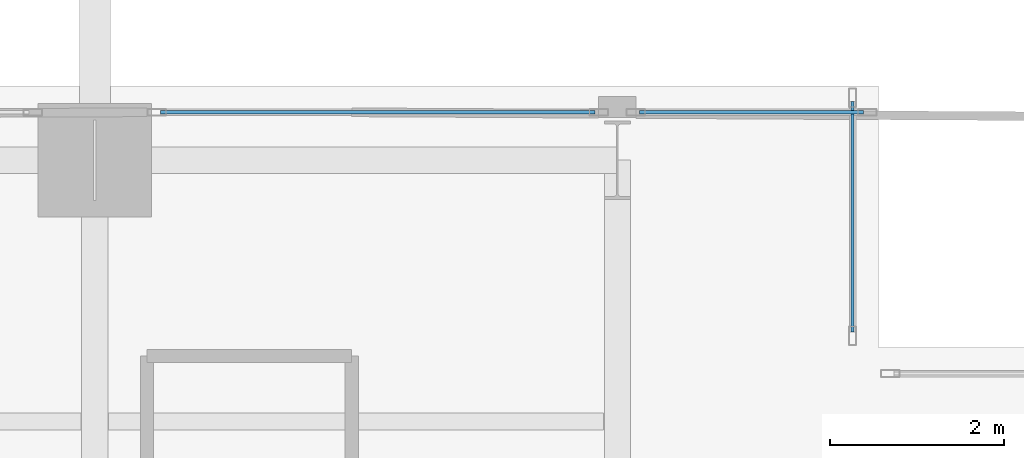
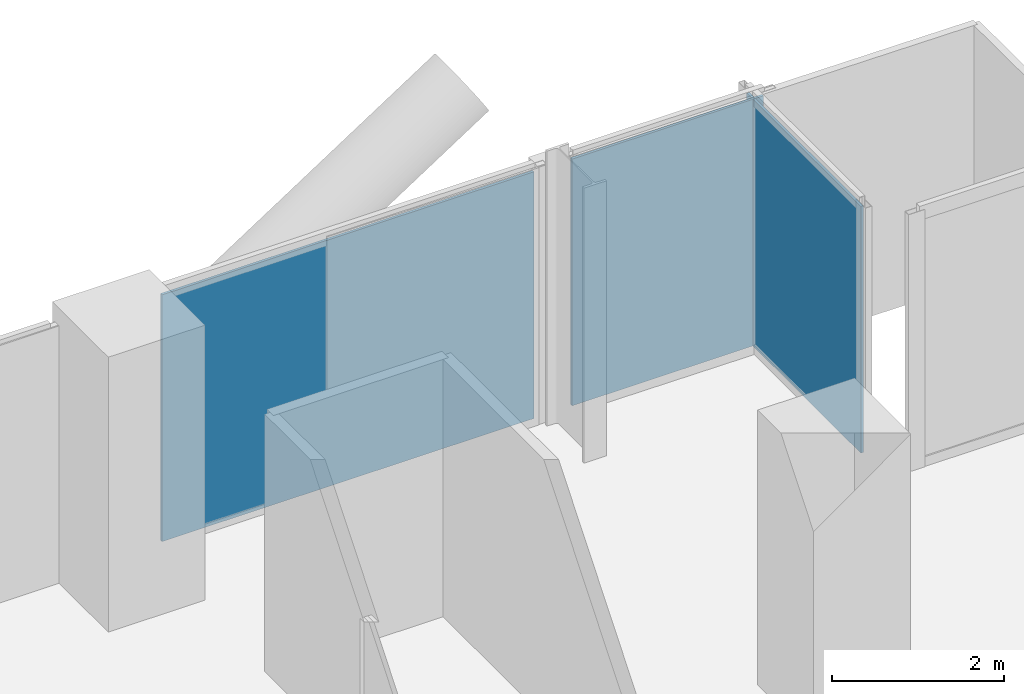
# One storey, part 18 of 25: 3 plates, 3 elements without a shape of their own.
"""IFC4 building model written with IfcOpenShell, lengths in metres."""

from ifc_helpers import new_model, si_unit, direction, frame, origin, origin_2d, place, context, subcontext, project, spatial, rectangle, extrude, material, layer, layer_set, type_object, element, aggregate, save


model = new_model("IFC4")

# Units and contexts
model_context = context("Model", 3, precision=1e-05, world=origin(), true_north=direction((0.0, 1.0)))
body_context = subcontext(model_context, "Body", "Model", "MODEL_VIEW")
ifc_project = project(units=[si_unit("LENGTHUNIT", "METRE"), si_unit("AREAUNIT", "SQUARE_METRE"), si_unit("VOLUMEUNIT", "CUBIC_METRE"), si_unit("PLANEANGLEUNIT", "RADIAN"), si_unit("MASSUNIT", "GRAM", prefix="KILO"), si_unit("THERMODYNAMICTEMPERATUREUNIT", "KELVIN"), si_unit("POWERUNIT", "WATT")], contexts=[model_context])

# Site, building, storey
site_placement = place(None, origin())
site = spatial("IfcSite", under=ifc_project, at=site_placement, CompositionType="ELEMENT")
building_placement = place(site_placement, origin())
building = spatial("IfcBuilding", under=site, at=building_placement, Name="Svarakhadi Broadcast Tower", CompositionType="ELEMENT")
storey_placement = place(building_placement, frame((0.0, 0.0, 36.300048828125)))
storey = spatial("IfcBuildingStorey", under=building, at=storey_placement, Name="L07", CompositionType="ELEMENT", Elevation=36.300048828125)

# Curtain wall, plate
ifc_material_1 = material(Name="Anodised Bronze Aluminium AA 6063-T6", Category="aluminium")
ifc_layer_1 = layer(ifc_material_1, 0.219970703125)
ifc_layer_set_1 = layer_set([ifc_layer_1], Name="Anodised Bronze Aluminium AA 6063-T6")
curtain_wall_type = type_object("IfcCurtainWallType", Name="CW_Sys_02", PredefinedType="NOTDEFINED", material=ifc_layer_set_1)
curtain_wall_1_placement = place(storey_placement, origin())
curtain_wall_1 = element("IfcCurtainWall", 1, at=curtain_wall_1_placement, inside=storey, type_object=curtain_wall_type, Name="L07 Unitised Facade Curtain Wall 06 Bay 3", PredefinedType="NOTDEFINED")
ifc_material_2 = material(Name="Double Low-E Laminated Acoustic Glass IGU 36 mm", Category="glass")
ifc_layer_2 = layer(ifc_material_2, 0.035888671875)
ifc_layer_set_2 = layer_set([ifc_layer_2], Name="Double Low-E Laminated Acoustic Glass IGU 36 mm")
plate_type = type_object("IfcPlateType", Name="CW_Sys_02_Pnl", PredefinedType="CURTAIN_PANEL", material=ifc_layer_set_2)
plate_1_placement = place(storey_placement, frame((15.25, 47.699951171875, 0.074951171875), z_axis=(0.0, 0.0, 1.0), x_axis=(1.0, 0.0, 0.0)))
plate_1 = element("IfcPlate", 2, at=plate_1_placement, type_object=plate_type, Name="CW-02 panel 1.1", PredefinedType="CURTAIN_PANEL", context=body_context, shape_type="SweptSolid", body=[
    extrude(rectangle(XDim=4.989990234375, YDim=0.035888671875, at=origin_2d()), origin(), (0.0, 0.0, 1.0), 3.5),
])
aggregate(curtain_wall_1, [plate_1])

curtain_wall_2_placement = place(storey_placement, origin())
curtain_wall_2 = element("IfcCurtainWall", 3, at=curtain_wall_2_placement, inside=storey, type_object=curtain_wall_type, Name="L07 Unitised Facade Curtain Wall 06 Bay 4", PredefinedType="NOTDEFINED")
plate_2_placement = place(storey_placement, frame((19.5400390625, 47.699951171875, 0.074951171875), z_axis=(0.0, 0.0, 1.0), x_axis=(1.0, 0.0, 0.0)))
plate_2 = element("IfcPlate", 4, at=plate_2_placement, type_object=plate_type, Name="CW-02 panel 1.1", PredefinedType="CURTAIN_PANEL", context=body_context, shape_type="SweptSolid", body=[
    extrude(rectangle(XDim=2.570068359375, YDim=0.035888671875, at=origin_2d()), origin(), (0.0, 0.0, 1.0), 3.5),
])
aggregate(curtain_wall_2, [plate_2])

curtain_wall_3_placement = place(storey_placement, origin())
curtain_wall_3 = element("IfcCurtainWall", 5, at=curtain_wall_3_placement, inside=storey, type_object=curtain_wall_type, Name="L07 Unitised Facade Curtain Wall 07", PredefinedType="NOTDEFINED")
plate_3_placement = place(storey_placement, frame((20.699951171875, 46.5, 0.074951171875), z_axis=(0.0, 0.0, 1.0), x_axis=(0.0, -1.0, 0.0)))
plate_3 = element("IfcPlate", 6, at=plate_3_placement, type_object=plate_type, Name="CW-02 panel 1.1", PredefinedType="CURTAIN_PANEL", context=body_context, shape_type="SweptSolid", body=[
    extrude(rectangle(XDim=2.64990234375, YDim=0.035888671875, at=origin_2d()), origin(), (0.0, 0.0, 1.0), 3.5),
])
aggregate(curtain_wall_3, [plate_3])

save(model, "model.ifc")
